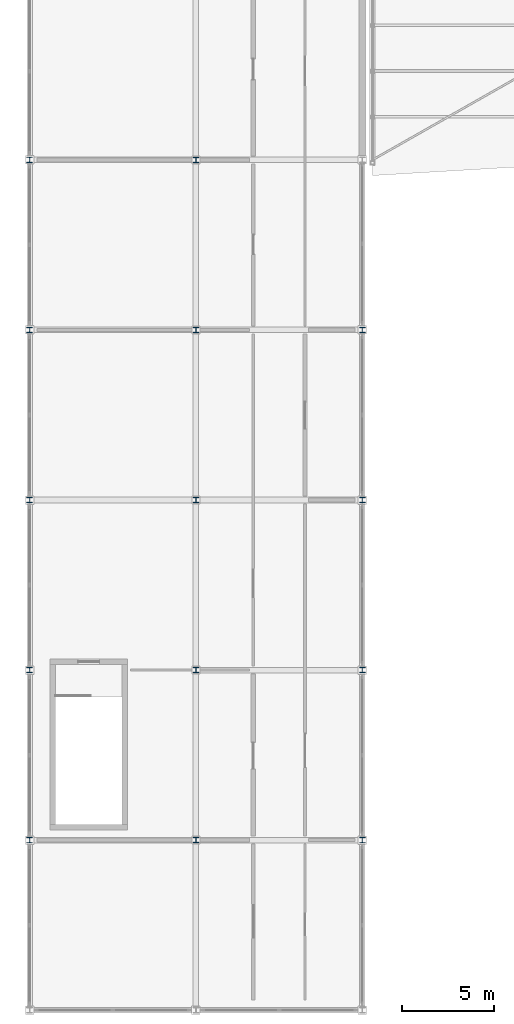
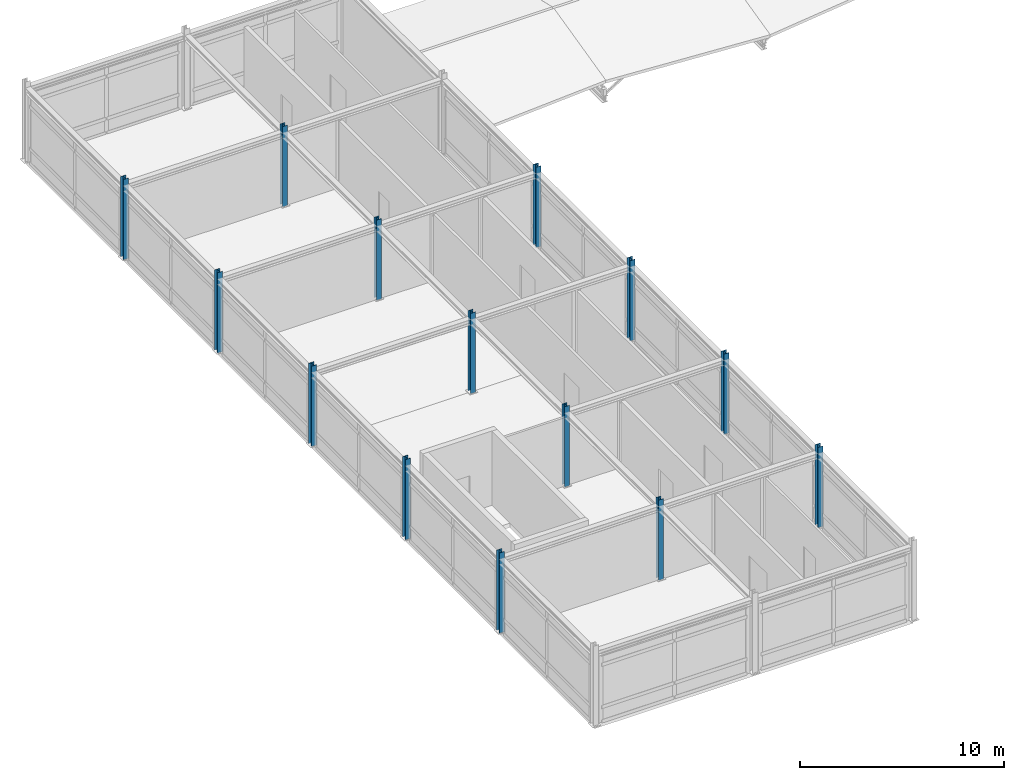
# One storey, part 6 of 90: 14 columns.
"""IFC4 building model written with IfcOpenShell, lengths in metres."""

from ifc_helpers import new_model, si_unit, direction, frame, origin, origin_2d, place, context, subcontext, project, spatial, i_section, extrude, material, material_profile, profile_set, type_object, element, save


model = new_model("IFC4")

# Units and contexts
model_context = context("Model", 3, precision=1e-05, world=origin(), true_north=direction((0.0, 1.0)))
body_context = subcontext(model_context, "Body", "Model", "MODEL_VIEW")
ifc_project = project(units=[si_unit("LENGTHUNIT", "METRE"), si_unit("AREAUNIT", "SQUARE_METRE"), si_unit("VOLUMEUNIT", "CUBIC_METRE"), si_unit("PLANEANGLEUNIT", "RADIAN"), si_unit("MASSUNIT", "GRAM", prefix="KILO")], contexts=[model_context])

# Site, building, storey
site_placement = place(None, origin())
site = spatial("IfcSite", under=ifc_project, at=site_placement, CompositionType="ELEMENT")
building_placement = place(site_placement, origin())
building = spatial("IfcBuilding", under=site, at=building_placement, Name="Bozkorgan Art Gallery", CompositionType="ELEMENT")
storey_placement = place(building_placement, frame((0.0, 0.0, 5.39990234375)))
storey = spatial("IfcBuildingStorey", under=building, at=storey_placement, Name="L01", CompositionType="ELEMENT", Elevation=5.39990234375)

# Columns
ifc_material = material(Name="Steel S355J2", Category="steel")
ifc_material_profile_1 = material_profile(ifc_material, i_section(OverallWidth=0.300048828125, OverallDepth=0.300048828125, WebThickness=0.010986328125, FlangeThickness=0.01904296875, FilletRadius=0.027099609375, at=origin_2d()), Name="HEB 300")
ifc_profile_set_1 = profile_set([ifc_material_profile_1], Name="Steel S355J2")
column_type_1 = type_object("IfcColumnType", Name="COLUMN-C-08", PredefinedType="COLUMN", material=ifc_profile_set_1)
for number, where, z_axis, x_axis, name in (
    (1, (2.0, 66.0, 0.0), (0.0, 0.0, 1.0), (1.0, 0.0, 0.0), "V2 L01 column (2.0, 66.0)"),
    (2, (2.0, 75.199951171875, 0.0), (0.0, 0.0, 1.0), (1.0, 0.0, 0.0), "V2 L01 column (2.0, 75.2)"),
    (3, (2.0, 84.39990234375, 0.0), (0.0, 0.0, 1.0), (1.0, 0.0, 0.0), "V2 L01 column (2.0, 84.4)"),
    (4, (2.0, 93.60009765625, 0.0), (0.0, 0.0, 1.0), (1.0, 0.0, 0.0), "V2 L01 column (2.0, 93.6)"),
    (5, (2.0, 102.800048828125, 0.0), (0.0, 0.0, 1.0), (1.0, 0.0, 0.0), "V2 L01 column (2.0, 102.8)"),
    (6, (20.0, 66.0, 0.0), (0.0, 0.0, 1.0), (1.0, 0.0, 0.0), "V2 L01 column (20.0, 66.0)"),
    (7, (20.0, 75.199951171875, 0.0), (0.0, 0.0, 1.0), (1.0, 0.0, 0.0), "V2 L01 column (20.0, 75.2)"),
    (8, (20.0, 84.39990234375, 0.0), (0.0, 0.0, 1.0), (1.0, 0.0, 0.0), "V2 L01 column (20.0, 84.4)"),
    (9, (20.0, 93.60009765625, 0.0), (0.0, 0.0, 1.0), (1.0, 0.0, 0.0), "V2 L01 column (20.0, 93.6)"),
):
    element("IfcColumn", number, at=place(storey_placement, frame(where, z_axis=z_axis, x_axis=x_axis)), inside=storey, type_object=column_type_1, Name=name, PredefinedType="COLUMN", context=body_context, shape_type="SweptSolid", body=[
        extrude(i_section(OverallWidth=0.300048828125, OverallDepth=0.300048828125, WebThickness=0.010986328125, FlangeThickness=0.01904296875, FilletRadius=0.027099609375, at=origin_2d()), origin(), (0.0, 0.0, 1.0), 4.800048828125),
    ])
ifc_material_profile_2 = material_profile(ifc_material, i_section(OverallWidth=0.280029296875, OverallDepth=0.280029296875, WebThickness=0.010498046875, FlangeThickness=0.01806640625, FilletRadius=0.02392578125, at=origin_2d()), Name="HEB 280")
ifc_profile_set_2 = profile_set([ifc_material_profile_2], Name="Steel S355J2")
column_type_2 = type_object("IfcColumnType", Name="COLUMN-C-85", PredefinedType="COLUMN", material=ifc_profile_set_2)
for number, where, z_axis, x_axis, name in (
    (10, (11.0, 66.0, 0.0), (0.0, 0.0, 1.0), (1.0, 0.0, 0.0), "V2 L01 column (11.0, 66.0)"),
    (11, (11.0, 75.199951171875, 0.0), (0.0, 0.0, 1.0), (1.0, 0.0, 0.0), "V2 L01 column (11.0, 75.2)"),
    (12, (11.0, 84.39990234375, 0.0), (0.0, 0.0, 1.0), (1.0, 0.0, 0.0), "V2 L01 column (11.0, 84.4)"),
    (13, (11.0, 93.60009765625, 0.0), (0.0, 0.0, 1.0), (1.0, 0.0, 0.0), "V2 L01 column (11.0, 93.6)"),
    (14, (11.0, 102.800048828125, 0.0), (0.0, 0.0, 1.0), (1.0, 0.0, 0.0), "V2 L01 column (11.0, 102.8)"),
):
    element("IfcColumn", number, at=place(storey_placement, frame(where, z_axis=z_axis, x_axis=x_axis)), inside=storey, type_object=column_type_2, Name=name, PredefinedType="COLUMN", context=body_context, shape_type="SweptSolid", body=[
        extrude(i_section(OverallWidth=0.280029296875, OverallDepth=0.280029296875, WebThickness=0.010498046875, FlangeThickness=0.01806640625, FilletRadius=0.02392578125, at=origin_2d()), origin(), (0.0, 0.0, 1.0), 4.800048828125),
    ])

save(model, "model.ifc")
